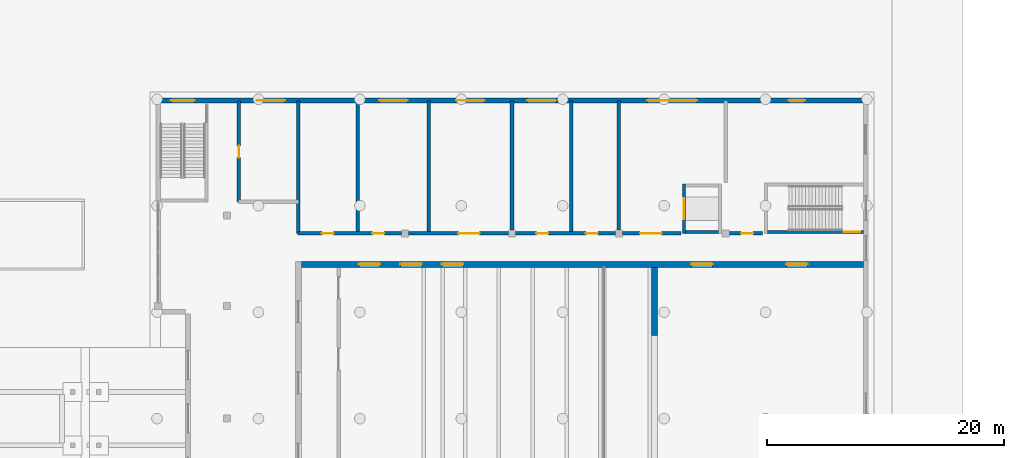
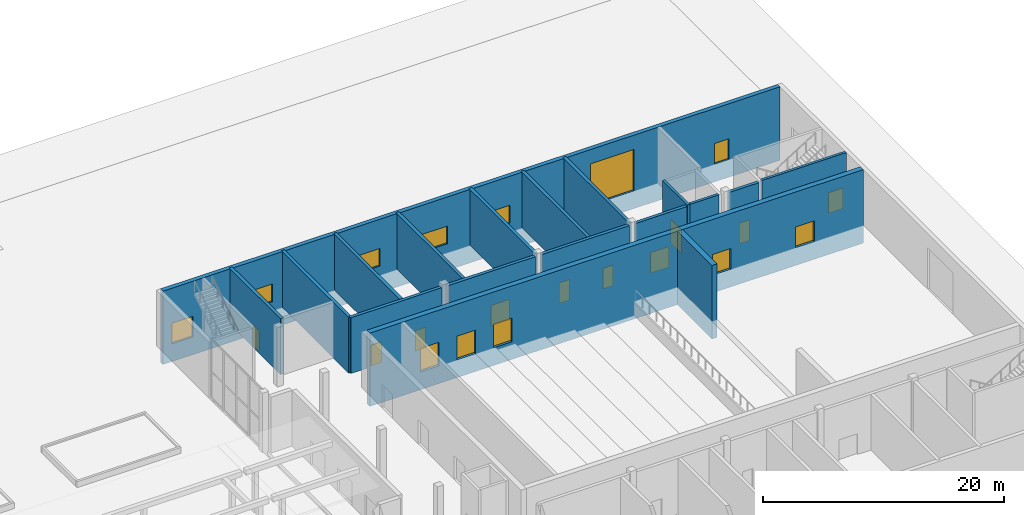
# One storey, part 27 of 47: 18 doors, 18 walls, 4 windows, 22 openings.
"""IFC4 building model written with IfcOpenShell, lengths in metres."""

from ifc_helpers import new_model, si_unit, direction, frame, frame_2d, origin, place, context, subcontext, project, spatial, rectangle, extrude, material, layer, layer_set, type_object, element, fill, save


model = new_model("IFC4")

# Units and contexts
model_context = context("Model", 3, precision=1e-05, world=origin(), true_north=direction((0.0, 1.0)))
body_context = subcontext(model_context, "Body", "Model", "MODEL_VIEW")
ifc_project = project(units=[si_unit("LENGTHUNIT", "METRE"), si_unit("AREAUNIT", "SQUARE_METRE"), si_unit("VOLUMEUNIT", "CUBIC_METRE"), si_unit("PLANEANGLEUNIT", "RADIAN"), si_unit("MASSUNIT", "GRAM", prefix="KILO")], contexts=[model_context])

# Site, building, storey
site_placement = place(None, origin())
site = spatial("IfcSite", under=ifc_project, at=site_placement, CompositionType="ELEMENT")
building_placement = place(site_placement, origin())
building = spatial("IfcBuilding", under=site, at=building_placement, Name="Hunhe Ridgeline Campus", CompositionType="ELEMENT")
storey_placement = place(building_placement, origin())
storey = spatial("IfcBuildingStorey", under=building, at=storey_placement, Name="L00", CompositionType="ELEMENT", Elevation=0.0)

# Wall, openings, doors
ifc_material_1 = material(Name="Concrete C50", Category="concrete")
ifc_layer_1 = layer(ifc_material_1, 0.5)
ifc_layer_set_1 = layer_set([ifc_layer_1], Name="Auditorium RC wall 500 C50")
wall_type_1 = type_object("IfcWallType", Name="Auditorium RC wall 500 C50", PredefinedType="SOLIDWALL", material=ifc_layer_set_1)
wall_1_placement = place(storey_placement, frame((162.25, 62.5, -1.800048828125), z_axis=(0.0, 0.0, 1.0), x_axis=(1.0, 0.0, 0.0)))
wall_1 = element("IfcWall", 1, at=wall_1_placement, inside=storey, type_object=wall_type_1, Name="Auditorium RC wall L00", PredefinedType="SOLIDWALL", context=body_context, shape_type="SweptSolid", body=[
    extrude(rectangle(XDim=47.35009765625, YDim=0.5, at=frame_2d((23.675048828125, 0.0))), origin(), (0.0, 0.0, 1.0), 7.449951171875),
])
opening_1_placement = place(wall_1_placement, frame((4.85009765625, 0.0, 1.800048828125)))
opening_1 = element("IfcOpeningElement", 2, at=opening_1_placement, cuts=wall_1, Name="Opening HD66", PredefinedType="OPENING", context=body_context, shape_type="SweptSolid", body=[
    extrude(rectangle(XDim=1.800048828125, YDim=2.39990234375, at=frame_2d((0.89990234375, 1.199951171875))), frame((0.0, 0.25, 0.0), z_axis=(0.0, -1.0, 0.0), x_axis=(1.0, 0.0, 0.0)), (0.0, 0.0, 1.0), 0.5),
])
opening_2_placement = place(wall_1_placement, frame((8.35009765625, 0.0, 1.800048828125)))
opening_2 = element("IfcOpeningElement", 3, at=opening_2_placement, cuts=wall_1, Name="Opening HD68", PredefinedType="OPENING", context=body_context, shape_type="SweptSolid", body=[
    extrude(rectangle(XDim=1.800048828125, YDim=2.39990234375, at=frame_2d((0.89990234375, 1.199951171875))), frame((0.0, 0.25, 0.0), z_axis=(0.0, -1.0, 0.0), x_axis=(1.0, 0.0, 0.0)), (0.0, 0.0, 1.0), 0.5),
])
opening_3_placement = place(wall_1_placement, frame((11.85009765625, 0.0, 1.800048828125)))
opening_3 = element("IfcOpeningElement", 4, at=opening_3_placement, cuts=wall_1, Name="Opening HD70", PredefinedType="OPENING", context=body_context, shape_type="SweptSolid", body=[
    extrude(rectangle(XDim=1.800048828125, YDim=2.39990234375, at=frame_2d((0.89990234375, 1.199951171875))), frame((0.0, 0.25, 0.0), z_axis=(0.0, -1.0, 0.0), x_axis=(1.0, 0.0, 0.0)), (0.0, 0.0, 1.0), 0.5),
])
opening_4_placement = place(wall_1_placement, frame((32.85009765625, 0.0, 1.800048828125)))
opening_4 = element("IfcOpeningElement", 5, at=opening_4_placement, cuts=wall_1, Name="Opening HD72", PredefinedType="OPENING", context=body_context, shape_type="SweptSolid", body=[
    extrude(rectangle(XDim=1.800048828125, YDim=2.10009765625, at=frame_2d((0.89990234375, 1.050048828125))), frame((0.0, 0.25, 0.0), z_axis=(0.0, -1.0, 0.0), x_axis=(1.0, 0.0, 0.0)), (0.0, 0.0, 1.0), 0.5),
])
opening_5_placement = place(wall_1_placement, frame((40.85009765625, 0.0, 1.800048828125)))
opening_5 = element("IfcOpeningElement", 6, at=opening_5_placement, cuts=wall_1, Name="Opening HD74", PredefinedType="OPENING", context=body_context, shape_type="SweptSolid", body=[
    extrude(rectangle(XDim=1.800048828125, YDim=2.10009765625, at=frame_2d((0.89990234375, 1.050048828125))), frame((0.0, 0.25, 0.0), z_axis=(0.0, -1.0, 0.0), x_axis=(1.0, 0.0, 0.0)), (0.0, 0.0, 1.0), 0.5),
])
ifc_material_2 = material(Name="Timber and lead-lined core", Category="wood")
door_type_1 = type_object("IfcDoorType", Name="Auditorium acoustic double door 1800x2400", OperationType="DOUBLE_DOOR_SINGLE_SWING", PredefinedType="DOOR", material=ifc_material_2)
door_1_placement = place(opening_1_placement, origin())
door_1 = element("IfcDoor", 7, at=door_1_placement, inside=storey, type_object=door_type_1, Name="Stalls side exit door", OperationType="DOUBLE_DOOR_SINGLE_SWING", OverallHeight=2.39990234375, OverallWidth=1.800048828125, PredefinedType="DOOR", context=body_context, shape_type="SweptSolid", body=[
    extrude(rectangle(XDim=1.800048828125, YDim=2.39990234375, at=frame_2d((0.89990234375, 1.199951171875))), frame((0.0, 0.02490234375, 0.0), z_axis=(0.0, -1.0, 0.0), x_axis=(1.0, 0.0, 0.0)), (0.0, 0.0, 1.0), 0.050048828125),
])
fill(opening_1, door_1)
door_2_placement = place(opening_2_placement, origin())
door_2 = element("IfcDoor", 8, at=door_2_placement, inside=storey, type_object=door_type_1, Name="Stalls side exit door", OperationType="DOUBLE_DOOR_SINGLE_SWING", OverallHeight=2.39990234375, OverallWidth=1.800048828125, PredefinedType="DOOR", context=body_context, shape_type="SweptSolid", body=[
    extrude(rectangle(XDim=1.800048828125, YDim=2.39990234375, at=frame_2d((0.89990234375, 1.199951171875))), frame((0.0, 0.02490234375, 0.0), z_axis=(0.0, -1.0, 0.0), x_axis=(1.0, 0.0, 0.0)), (0.0, 0.0, 1.0), 0.050048828125),
])
fill(opening_2, door_2)
door_3_placement = place(opening_3_placement, origin())
door_3 = element("IfcDoor", 9, at=door_3_placement, inside=storey, type_object=door_type_1, Name="Stalls side exit door", OperationType="DOUBLE_DOOR_SINGLE_SWING", OverallHeight=2.39990234375, OverallWidth=1.800048828125, PredefinedType="DOOR", context=body_context, shape_type="SweptSolid", body=[
    extrude(rectangle(XDim=1.800048828125, YDim=2.39990234375, at=frame_2d((0.89990234375, 1.199951171875))), frame((0.0, 0.02490234375, 0.0), z_axis=(0.0, -1.0, 0.0), x_axis=(1.0, 0.0, 0.0)), (0.0, 0.0, 1.0), 0.050048828125),
])
fill(opening_3, door_3)
ifc_material_3 = material(Name="Timber", Category="wood")
door_type_2 = type_object("IfcDoorType", Name="Hall timber double door 1800x2100", OperationType="DOUBLE_DOOR_SINGLE_SWING", PredefinedType="DOOR", material=ifc_material_3)
door_4_placement = place(opening_4_placement, origin())
door_4 = element("IfcDoor", 10, at=door_4_placement, inside=storey, type_object=door_type_2, Name="Stage door", OperationType="DOUBLE_DOOR_SINGLE_SWING", OverallHeight=2.10009765625, OverallWidth=1.800048828125, PredefinedType="DOOR", context=body_context, shape_type="SweptSolid", body=[
    extrude(rectangle(XDim=1.800048828125, YDim=2.10009765625, at=frame_2d((0.89990234375, 1.050048828125))), frame((0.0, 0.02490234375, 0.0), z_axis=(0.0, -1.0, 0.0), x_axis=(1.0, 0.0, 0.0)), (0.0, 0.0, 1.0), 0.050048828125),
])
fill(opening_4, door_4)
door_5_placement = place(opening_5_placement, origin())
door_5 = element("IfcDoor", 11, at=door_5_placement, inside=storey, type_object=door_type_2, Name="Stage door", OperationType="DOUBLE_DOOR_SINGLE_SWING", OverallHeight=2.10009765625, OverallWidth=1.800048828125, PredefinedType="DOOR", context=body_context, shape_type="SweptSolid", body=[
    extrude(rectangle(XDim=1.800048828125, YDim=2.10009765625, at=frame_2d((0.89990234375, 1.050048828125))), frame((0.0, 0.02490234375, 0.0), z_axis=(0.0, -1.0, 0.0), x_axis=(1.0, 0.0, 0.0)), (0.0, 0.0, 1.0), 0.050048828125),
])
fill(opening_5, door_5)

# Wall
wall_2_placement = place(storey_placement, frame((192.0, 56.5, -1.800048828125), z_axis=(0.0, 0.0, 1.0), x_axis=(0.0, 1.0, 0.0)))
element("IfcWall", 12, at=wall_2_placement, inside=storey, type_object=wall_type_1, Name="Auditorium RC wall L00", PredefinedType="SOLIDWALL", context=body_context, shape_type="SweptSolid", body=[
    extrude(rectangle(XDim=5.75, YDim=0.5, at=frame_2d((2.875, 0.0))), origin(), (0.0, 0.0, 1.0), 7.449951171875),
])

# Wall, opening, door
ifc_material_4 = material(Name="Plastered blockwork", Category="masonry")
ifc_layer_2 = layer(ifc_material_4, 0.300048828125)
ifc_layer_set_2 = layer_set([ifc_layer_2], Name="Hall blockwork partition 300")
wall_type_2 = type_object("IfcWallType", Name="Hall blockwork partition 300", PredefinedType="PARTITIONING", material=ifc_layer_set_2)
wall_3_placement = place(storey_placement, frame((157.0, 67.72998046875, 0.0), z_axis=(0.0, 0.0, 1.0), x_axis=(0.0, 1.0, 0.0)))
wall_3 = element("IfcWall", 13, at=wall_3_placement, inside=storey, type_object=wall_type_2, Name="L00 partition", PredefinedType="PARTITIONING", context=body_context, shape_type="SweptSolid", body=[
    extrude(rectangle(XDim=8.5400390625, YDim=0.300048828125, at=frame_2d((4.27001953125, 0.0))), origin(), (0.0, 0.0, 1.0), 5.64990234375),
])
opening_6_placement = place(wall_3_placement, frame((3.75, 0.0, 0.0)))
opening_6 = element("IfcOpeningElement", 14, at=opening_6_placement, cuts=wall_3, Name="Opening HD02", PredefinedType="OPENING", context=body_context, shape_type="SweptSolid", body=[
    extrude(rectangle(XDim=1.0, YDim=2.10009765625, at=frame_2d((0.5, 1.050048828125))), frame((0.0, 0.14990234375, 0.0), z_axis=(0.0, -1.0, 0.0), x_axis=(1.0, 0.0, 0.0)), (0.0, 0.0, 1.0), 0.300048828125),
])
door_type_3 = type_object("IfcDoorType", Name="Hall timber door 1000x2100", OperationType="NOTDEFINED", PredefinedType="DOOR", material=ifc_material_3)
door_6_placement = place(opening_6_placement, origin())
door_6 = element("IfcDoor", 15, at=door_6_placement, inside=storey, type_object=door_type_3, Name="Foyer bar door", OperationType="SINGLE_SWING_LEFT", OverallHeight=2.10009765625, OverallWidth=1.0, PredefinedType="DOOR", context=body_context, shape_type="SweptSolid", body=[
    extrude(rectangle(XDim=1.0, YDim=2.10009765625, at=frame_2d((0.5, 1.050048828125))), frame((0.0, 0.02490234375, 0.0), z_axis=(0.0, -1.0, 0.0), x_axis=(1.0, 0.0, 0.0)), (0.0, 0.0, 1.0), 0.050048828125),
])
fill(opening_6, door_6)

# Walls
for number, where, z_axis, x_axis, name in (
    (16, (162.0, 65.080078125, 0.0), (0.0, 0.0, 1.0), (0.0, 1.0, 0.0), "L00 partition"),
    (17, (167.0, 65.080078125, 0.0), (0.0, 0.0, 1.0), (0.0, 1.0, 0.0), "L00 partition"),
):
    element("IfcWall", number, at=place(storey_placement, frame(where, z_axis=z_axis, x_axis=x_axis)), inside=storey, type_object=wall_type_2, Name=name, PredefinedType="PARTITIONING", context=body_context, shape_type="SweptSolid", body=[
        extrude(rectangle(XDim=11.18994140625, YDim=0.300048828125, at=frame_2d((5.594970703125, 0.0))), origin(), (0.0, 0.0, 1.0), 5.64990234375),
    ])

# Wall, openings, doors
wall_4_placement = place(storey_placement, frame((170.699951171875, 65.10009765625, 0.0), z_axis=(0.0, 0.0, 1.0), x_axis=(-1.0, 0.0, 0.0)))
wall_4 = element("IfcWall", 18, at=wall_4_placement, inside=storey, type_object=wall_type_2, Name="L00 partition", PredefinedType="PARTITIONING", context=body_context, shape_type="SweptSolid", body=[
    extrude(rectangle(XDim=8.719970703125, YDim=0.300048828125, at=frame_2d((4.35986328125, 0.0))), origin(), (0.0, 0.0, 1.0), 5.64990234375),
])
opening_7_placement = place(wall_4_placement, frame((5.719970703125, 0.0, 0.0)))
opening_7 = element("IfcOpeningElement", 19, at=opening_7_placement, cuts=wall_4, Name="Opening HD11", PredefinedType="OPENING", context=body_context, shape_type="SweptSolid", body=[
    extrude(rectangle(XDim=1.0, YDim=2.10009765625, at=frame_2d((0.5, 1.050048828125))), frame((0.0, 0.14990234375, 0.0), z_axis=(0.0, -1.0, 0.0), x_axis=(1.0, 0.0, 0.0)), (0.0, 0.0, 1.0), 0.300048828125),
])
opening_8_placement = place(wall_4_placement, frame((1.469970703125, 0.0, 0.0)))
opening_8 = element("IfcOpeningElement", 20, at=opening_8_placement, cuts=wall_4, Name="Opening HD12", PredefinedType="OPENING", context=body_context, shape_type="SweptSolid", body=[
    extrude(rectangle(XDim=1.0, YDim=2.10009765625, at=frame_2d((0.5, 1.050048828125))), frame((0.0, 0.14990234375, 0.0), z_axis=(0.0, -1.0, 0.0), x_axis=(1.0, 0.0, 0.0)), (0.0, 0.0, 1.0), 0.300048828125),
])
door_7_placement = place(opening_7_placement, origin())
door_7 = element("IfcDoor", 21, at=door_7_placement, inside=storey, type_object=door_type_3, Name="Instrument store door", OperationType="SINGLE_SWING_RIGHT", OverallHeight=2.10009765625, OverallWidth=1.0, PredefinedType="DOOR", context=body_context, shape_type="SweptSolid", body=[
    extrude(rectangle(XDim=1.0, YDim=2.10009765625, at=frame_2d((0.5, 1.050048828125))), frame((0.0, 0.02490234375, 0.0), z_axis=(0.0, -1.0, 0.0), x_axis=(1.0, 0.0, 0.0)), (0.0, 0.0, 1.0), 0.050048828125),
])
fill(opening_7, door_7)
door_8_placement = place(opening_8_placement, origin())
door_8 = element("IfcDoor", 22, at=door_8_placement, inside=storey, type_object=door_type_3, Name="Production office door", OperationType="SINGLE_SWING_LEFT", OverallHeight=2.10009765625, OverallWidth=1.0, PredefinedType="DOOR", context=body_context, shape_type="SweptSolid", body=[
    extrude(rectangle(XDim=1.0, YDim=2.10009765625, at=frame_2d((0.5, 1.050048828125))), frame((0.0, 0.02490234375, 0.0), z_axis=(0.0, -1.0, 0.0), x_axis=(1.0, 0.0, 0.0)), (0.0, 0.0, 1.0), 0.050048828125),
])
fill(opening_8, door_8)

# Wall, opening, door
wall_5_placement = place(storey_placement, frame((179.699951171875, 65.10009765625, 0.0), z_axis=(0.0, 0.0, 1.0), x_axis=(-1.0, 0.0, 0.0)))
wall_5 = element("IfcWall", 23, at=wall_5_placement, inside=storey, type_object=wall_type_2, Name="L00 partition", PredefinedType="PARTITIONING", context=body_context, shape_type="SweptSolid", body=[
    extrude(rectangle(XDim=8.39990234375, YDim=0.300048828125, at=frame_2d((4.199951171875, 0.0))), origin(), (0.0, 0.0, 1.0), 5.64990234375),
])
opening_9_placement = place(wall_5_placement, frame((2.419921875, 0.0, 0.0)))
opening_9 = element("IfcOpeningElement", 24, at=opening_9_placement, cuts=wall_5, Name="Opening HD13", PredefinedType="OPENING", context=body_context, shape_type="SweptSolid", body=[
    extrude(rectangle(XDim=1.800048828125, YDim=2.10009765625, at=frame_2d((0.89990234375, 1.050048828125))), frame((0.0, 0.14990234375, 0.0), z_axis=(0.0, -1.0, 0.0), x_axis=(1.0, 0.0, 0.0)), (0.0, 0.0, 1.0), 0.300048828125),
])
door_9_placement = place(opening_9_placement, origin())
door_9 = element("IfcDoor", 25, at=door_9_placement, inside=storey, type_object=door_type_2, Name="Dressing room 2 door", OperationType="DOUBLE_DOOR_SINGLE_SWING", OverallHeight=2.10009765625, OverallWidth=1.800048828125, PredefinedType="DOOR", context=body_context, shape_type="SweptSolid", body=[
    extrude(rectangle(XDim=1.800048828125, YDim=2.10009765625, at=frame_2d((0.89990234375, 1.050048828125))), frame((0.0, 0.02490234375, 0.0), z_axis=(0.0, -1.0, 0.0), x_axis=(1.0, 0.0, 0.0)), (0.0, 0.0, 1.0), 0.050048828125),
])
fill(opening_9, door_9)

# Wall, openings, doors
wall_6_placement = place(storey_placement, frame((188.699951171875, 65.10009765625, 0.0), z_axis=(0.0, 0.0, 1.0), x_axis=(-1.0, 0.0, 0.0)))
wall_6 = element("IfcWall", 26, at=wall_6_placement, inside=storey, type_object=wall_type_2, Name="L00 partition", PredefinedType="PARTITIONING", context=body_context, shape_type="SweptSolid", body=[
    extrude(rectangle(XDim=8.39990234375, YDim=0.300048828125, at=frame_2d((4.199951171875, 0.0))), origin(), (0.0, 0.0, 1.0), 5.64990234375),
])
opening_10_placement = place(wall_6_placement, frame((5.64990234375, 0.0, 0.0)))
opening_10 = element("IfcOpeningElement", 27, at=opening_10_placement, cuts=wall_6, Name="Opening HD14", PredefinedType="OPENING", context=body_context, shape_type="SweptSolid", body=[
    extrude(rectangle(XDim=1.0, YDim=2.10009765625, at=frame_2d((0.5, 1.050048828125))), frame((0.0, 0.14990234375, 0.0), z_axis=(0.0, -1.0, 0.0), x_axis=(1.0, 0.0, 0.0)), (0.0, 0.0, 1.0), 0.300048828125),
])
opening_11_placement = place(wall_6_placement, frame((1.469970703125, 0.0, 0.0)))
opening_11 = element("IfcOpeningElement", 28, at=opening_11_placement, cuts=wall_6, Name="Opening HD15", PredefinedType="OPENING", context=body_context, shape_type="SweptSolid", body=[
    extrude(rectangle(XDim=1.0, YDim=2.10009765625, at=frame_2d((0.5, 1.050048828125))), frame((0.0, 0.14990234375, 0.0), z_axis=(0.0, -1.0, 0.0), x_axis=(1.0, 0.0, 0.0)), (0.0, 0.0, 1.0), 0.300048828125),
])
door_10_placement = place(opening_10_placement, origin())
door_10 = element("IfcDoor", 29, at=door_10_placement, inside=storey, type_object=door_type_3, Name="Staff rest room door", OperationType="SINGLE_SWING_RIGHT", OverallHeight=2.10009765625, OverallWidth=1.0, PredefinedType="DOOR", context=body_context, shape_type="SweptSolid", body=[
    extrude(rectangle(XDim=1.0, YDim=2.10009765625, at=frame_2d((0.5, 1.050048828125))), frame((0.0, 0.02490234375, 0.0), z_axis=(0.0, -1.0, 0.0), x_axis=(1.0, 0.0, 0.0)), (0.0, 0.0, 1.0), 0.050048828125),
])
fill(opening_10, door_10)
door_11_placement = place(opening_11_placement, origin())
door_11 = element("IfcDoor", 30, at=door_11_placement, inside=storey, type_object=door_type_3, Name="Receiving office door", OperationType="SINGLE_SWING_LEFT", OverallHeight=2.10009765625, OverallWidth=1.0, PredefinedType="DOOR", context=body_context, shape_type="SweptSolid", body=[
    extrude(rectangle(XDim=1.0, YDim=2.10009765625, at=frame_2d((0.5, 1.050048828125))), frame((0.0, 0.02490234375, 0.0), z_axis=(0.0, -1.0, 0.0), x_axis=(1.0, 0.0, 0.0)), (0.0, 0.0, 1.0), 0.050048828125),
])
fill(opening_11, door_11)

# Wall, opening, door
wall_7_placement = place(storey_placement, frame((194.219970703125, 65.10009765625, 0.0), z_axis=(0.0, 0.0, 1.0), x_axis=(-1.0, 0.0, 0.0)))
wall_7 = element("IfcWall", 31, at=wall_7_placement, inside=storey, type_object=wall_type_2, Name="L00 partition", PredefinedType="PARTITIONING", context=body_context, shape_type="SweptSolid", body=[
    extrude(rectangle(XDim=4.919921875, YDim=0.300048828125, at=frame_2d((2.4599609375, 0.0))), origin(), (0.0, 0.0, 1.0), 5.64990234375),
])
opening_12_placement = place(wall_7_placement, frame((1.6201171875, 0.0, 0.0)))
opening_12 = element("IfcOpeningElement", 32, at=opening_12_placement, cuts=wall_7, Name="Opening HD16", PredefinedType="OPENING", context=body_context, shape_type="SweptSolid", body=[
    extrude(rectangle(XDim=1.800048828125, YDim=2.10009765625, at=frame_2d((0.89990234375, 1.050048828125))), frame((0.0, 0.14990234375, 0.0), z_axis=(0.0, -1.0, 0.0), x_axis=(1.0, 0.0, 0.0)), (0.0, 0.0, 1.0), 0.300048828125),
])
door_12_placement = place(opening_12_placement, origin())
door_12 = element("IfcDoor", 33, at=door_12_placement, inside=storey, type_object=door_type_2, Name="Scene dock door", OperationType="DOUBLE_DOOR_SINGLE_SWING", OverallHeight=2.10009765625, OverallWidth=1.800048828125, PredefinedType="DOOR", context=body_context, shape_type="SweptSolid", body=[
    extrude(rectangle(XDim=1.800048828125, YDim=2.10009765625, at=frame_2d((0.89990234375, 1.050048828125))), frame((0.0, 0.02490234375, 0.0), z_axis=(0.0, -1.0, 0.0), x_axis=(1.0, 0.0, 0.0)), (0.0, 0.0, 1.0), 0.050048828125),
])
fill(opening_12, door_12)

wall_8_placement = place(storey_placement, frame((201.1201171875, 65.10009765625, 0.0), z_axis=(0.0, 0.0, 1.0), x_axis=(-1.0, 0.0, 0.0)))
wall_8 = element("IfcWall", 34, at=wall_8_placement, inside=storey, type_object=wall_type_2, Name="L00 partition", PredefinedType="PARTITIONING", context=body_context, shape_type="SweptSolid", body=[
    extrude(rectangle(XDim=2.820068359375, YDim=0.300048828125, at=frame_2d((1.41015625, 0.0))), origin(), (0.0, 0.0, 1.0), 5.64990234375),
])
opening_13_placement = place(wall_8_placement, frame((0.820068359375, 0.0, 0.0)))
opening_13 = element("IfcOpeningElement", 35, at=opening_13_placement, cuts=wall_8, Name="Opening HD17", PredefinedType="OPENING", context=body_context, shape_type="SweptSolid", body=[
    extrude(rectangle(XDim=1.0, YDim=2.10009765625, at=frame_2d((0.5, 1.050048828125))), frame((0.0, 0.14990234375, 0.0), z_axis=(0.0, -1.0, 0.0), x_axis=(1.0, 0.0, 0.0)), (0.0, 0.0, 1.0), 0.300048828125),
])
door_13_placement = place(opening_13_placement, origin())
door_13 = element("IfcDoor", 36, at=door_13_placement, inside=storey, type_object=door_type_3, Name="Stage door lobby door", OperationType="SINGLE_SWING_LEFT", OverallHeight=2.10009765625, OverallWidth=1.0, PredefinedType="DOOR", context=body_context, shape_type="SweptSolid", body=[
    extrude(rectangle(XDim=1.0, YDim=2.10009765625, at=frame_2d((0.5, 1.050048828125))), frame((0.0, 0.02490234375, 0.0), z_axis=(0.0, -1.0, 0.0), x_axis=(1.0, 0.0, 0.0)), (0.0, 0.0, 1.0), 0.050048828125),
])
fill(opening_13, door_13)

# Walls
wall_9_placement = place(storey_placement, frame((173.0, 65.080078125, 0.0), z_axis=(0.0, 0.0, 1.0), x_axis=(0.0, 1.0, 0.0)))
element("IfcWall", 37, at=wall_9_placement, inside=storey, type_object=wall_type_2, Name="L00 partition", PredefinedType="PARTITIONING", context=body_context, shape_type="SweptSolid", body=[
    extrude(rectangle(XDim=11.18994140625, YDim=0.300048828125, at=frame_2d((5.594970703125, 0.0))), origin(), (0.0, 0.0, 1.0), 5.64990234375),
])
wall_10_placement = place(storey_placement, frame((180.0, 65.39990234375, 0.0), z_axis=(0.0, 0.0, 1.0), x_axis=(0.0, 1.0, 0.0)))
element("IfcWall", 38, at=wall_10_placement, inside=storey, type_object=wall_type_2, Name="L00 partition", PredefinedType="PARTITIONING", context=body_context, shape_type="SweptSolid", body=[
    extrude(rectangle(XDim=10.8701171875, YDim=0.300048828125, at=frame_2d((5.43505859375, 0.0))), origin(), (0.0, 0.0, 1.0), 5.64990234375),
])
wall_11_placement = place(storey_placement, frame((185.0, 65.080078125, 0.0), z_axis=(0.0, 0.0, 1.0), x_axis=(0.0, 1.0, 0.0)))
element("IfcWall", 39, at=wall_11_placement, inside=storey, type_object=wall_type_2, Name="L00 partition", PredefinedType="PARTITIONING", context=body_context, shape_type="SweptSolid", body=[
    extrude(rectangle(XDim=11.18994140625, YDim=0.300048828125, at=frame_2d((5.594970703125, 0.0))), origin(), (0.0, 0.0, 1.0), 5.64990234375),
])
wall_12_placement = place(storey_placement, frame((189.0, 65.39990234375, 0.0), z_axis=(0.0, 0.0, 1.0), x_axis=(0.0, 1.0, 0.0)))
element("IfcWall", 40, at=wall_12_placement, inside=storey, type_object=wall_type_2, Name="L00 partition", PredefinedType="PARTITIONING", context=body_context, shape_type="SweptSolid", body=[
    extrude(rectangle(XDim=10.8701171875, YDim=0.300048828125, at=frame_2d((5.43505859375, 0.0))), origin(), (0.0, 0.0, 1.0), 5.64990234375),
])

# Wall, openings, doors, windows
ifc_material_5 = material(Name="Concrete C40", Category="concrete")
ifc_layer_3 = layer(ifc_material_5, 0.39990234375)
ifc_layer_set_3 = layer_set([ifc_layer_3], Name="Hall external RC wall 400 C40")
wall_type_3 = type_object("IfcWallType", Name="Hall external RC wall 400 C40", PredefinedType="SOLIDWALL", material=ifc_layer_set_3)
wall_13_placement = place(storey_placement, frame((150.39990234375, 76.300048828125, -1.800048828125), z_axis=(0.0, 0.0, 1.0), x_axis=(1.0, 0.0, 0.0)))
wall_13 = element("IfcWall", 41, at=wall_13_placement, inside=storey, type_object=wall_type_3, Name="Hall L00 north wall", PredefinedType="SOLIDWALL", context=body_context, shape_type="SweptSolid", body=[
    extrude(rectangle(XDim=59.2001953125, YDim=0.39990234375, at=frame_2d((29.60009765625, 0.0))), origin(), (0.0, 0.0, 1.0), 7.449951171875),
])
opening_14_placement = place(wall_13_placement, frame((0.875, 0.0, 1.800048828125)))
opening_14 = element("IfcOpeningElement", 42, at=opening_14_placement, cuts=wall_13, Name="Opening HD85", PredefinedType="OPENING", context=body_context, shape_type="SweptSolid", body=[
    extrude(rectangle(XDim=2.0, YDim=2.10009765625, at=frame_2d((1.0, 1.050048828125))), frame((0.0, 0.199951171875, 0.0), z_axis=(0.0, -1.0, 0.0), x_axis=(1.0, 0.0, 0.0)), (0.0, 0.0, 1.0), 0.39990234375),
])
opening_15_placement = place(wall_13_placement, frame((41.0, 0.0, 1.800048828125)))
opening_15 = element("IfcOpeningElement", 43, at=opening_15_placement, cuts=wall_13, Name="Opening HD86", PredefinedType="OPENING", context=body_context, shape_type="SweptSolid", body=[
    extrude(rectangle(XDim=4.199951171875, YDim=4.199951171875, at=frame_2d((2.10009765625, 2.10009765625))), frame((0.0, 0.199951171875, 0.0), z_axis=(0.0, -1.0, 0.0), x_axis=(1.0, 0.0, 0.0)), (0.0, 0.0, 1.0), 0.39990234375),
])
opening_16_placement = place(wall_13_placement, frame((52.89990234375, 0.0, 1.800048828125)))
opening_16 = element("IfcOpeningElement", 44, at=opening_16_placement, cuts=wall_13, Name="Opening HD87", PredefinedType="OPENING", context=body_context, shape_type="SweptSolid", body=[
    extrude(rectangle(XDim=1.39990234375, YDim=2.10009765625, at=frame_2d((0.699951171875, 1.050048828125))), frame((0.0, 0.199951171875, 0.0), z_axis=(0.0, -1.0, 0.0), x_axis=(1.0, 0.0, 0.0)), (0.0, 0.0, 1.0), 0.39990234375),
])
opening_17_placement = place(wall_13_placement, frame((8.10009765625, 0.0, 2.699951171875)))
opening_17 = element("IfcOpeningElement", 45, at=opening_17_placement, cuts=wall_13, Name="Opening HWN04", PredefinedType="OPENING", context=body_context, shape_type="SweptSolid", body=[
    extrude(rectangle(XDim=2.39990234375, YDim=1.800048828125, at=frame_2d((1.199951171875, 0.89990234375))), frame((0.0, 0.199951171875, 0.0), z_axis=(0.0, -1.0, 0.0), x_axis=(1.0, 0.0, 0.0)), (0.0, 0.0, 1.0), 0.39990234375),
])
opening_18_placement = place(wall_13_placement, frame((18.39990234375, 0.0, 2.699951171875)))
opening_18 = element("IfcOpeningElement", 46, at=opening_18_placement, cuts=wall_13, Name="Opening HWN17", PredefinedType="OPENING", context=body_context, shape_type="SweptSolid", body=[
    extrude(rectangle(XDim=2.39990234375, YDim=1.800048828125, at=frame_2d((1.199951171875, 0.89990234375))), frame((0.0, 0.199951171875, 0.0), z_axis=(0.0, -1.0, 0.0), x_axis=(1.0, 0.0, 0.0)), (0.0, 0.0, 1.0), 0.39990234375),
])
opening_19_placement = place(wall_13_placement, frame((24.89990234375, 0.0, 2.699951171875)))
opening_19 = element("IfcOpeningElement", 47, at=opening_19_placement, cuts=wall_13, Name="Opening HWN18", PredefinedType="OPENING", context=body_context, shape_type="SweptSolid", body=[
    extrude(rectangle(XDim=2.39990234375, YDim=1.800048828125, at=frame_2d((1.199951171875, 0.89990234375))), frame((0.0, 0.199951171875, 0.0), z_axis=(0.0, -1.0, 0.0), x_axis=(1.0, 0.0, 0.0)), (0.0, 0.0, 1.0), 0.39990234375),
])
opening_20_placement = place(wall_13_placement, frame((30.89990234375, 0.0, 2.699951171875)))
opening_20 = element("IfcOpeningElement", 48, at=opening_20_placement, cuts=wall_13, Name="Opening HWN19", PredefinedType="OPENING", context=body_context, shape_type="SweptSolid", body=[
    extrude(rectangle(XDim=2.39990234375, YDim=1.800048828125, at=frame_2d((1.199951171875, 0.89990234375))), frame((0.0, 0.199951171875, 0.0), z_axis=(0.0, -1.0, 0.0), x_axis=(1.0, 0.0, 0.0)), (0.0, 0.0, 1.0), 0.39990234375),
])
ifc_material_6 = material(Name="Steel Q235", Category="steel")
door_type_4 = type_object("IfcDoorType", Name="Hall fire door 1400x2100 FD60", OperationType="NOTDEFINED", PredefinedType="DOOR", material=ifc_material_6)
door_14_placement = place(opening_16_placement, origin())
door_14 = element("IfcDoor", 49, at=door_14_placement, inside=storey, type_object=door_type_4, Name="Stage door entrance", OperationType="SINGLE_SWING_RIGHT", OverallHeight=2.10009765625, OverallWidth=1.39990234375, PredefinedType="DOOR", context=body_context, shape_type="SweptSolid", body=[
    extrude(rectangle(XDim=1.39990234375, YDim=2.10009765625, at=frame_2d((0.699951171875, 1.050048828125))), frame((0.0, 0.02490234375, 0.0), z_axis=(0.0, -1.0, 0.0), x_axis=(1.0, 0.0, 0.0)), (0.0, 0.0, 1.0), 0.050048828125),
])
fill(opening_16, door_14)
door_type_5 = type_object("IfcDoorType", Name="Hall fire double door 2000x2100 FD60", OperationType="DOUBLE_DOOR_SINGLE_SWING", PredefinedType="DOOR", material=ifc_material_6)
door_15_placement = place(opening_14_placement, origin())
door_15 = element("IfcDoor", 50, at=door_15_placement, inside=storey, type_object=door_type_5, Name="Stair HS2 exit door", OperationType="DOUBLE_DOOR_SINGLE_SWING", OverallHeight=2.10009765625, OverallWidth=2.0, PredefinedType="DOOR", context=body_context, shape_type="SweptSolid", body=[
    extrude(rectangle(XDim=2.0, YDim=2.10009765625, at=frame_2d((1.0, 1.050048828125))), frame((0.0, 0.02490234375, 0.0), z_axis=(0.0, -1.0, 0.0), x_axis=(1.0, 0.0, 0.0)), (0.0, 0.0, 1.0), 0.050048828125),
])
fill(opening_14, door_15)
door_type_6 = type_object("IfcDoorType", Name="Hall roller shutter 4200x4200", OperationType="ROLLINGUP", PredefinedType="DOOR", material=ifc_material_6)
door_16_placement = place(opening_15_placement, origin())
door_16 = element("IfcDoor", 51, at=door_16_placement, inside=storey, type_object=door_type_6, Name="Scene dock roller shutter", OperationType="ROLLINGUP", OverallHeight=4.199951171875, OverallWidth=4.199951171875, PredefinedType="DOOR", context=body_context, shape_type="SweptSolid", body=[
    extrude(rectangle(XDim=4.199951171875, YDim=4.199951171875, at=frame_2d((2.10009765625, 2.10009765625))), frame((0.0, 0.02490234375, 0.0), z_axis=(0.0, -1.0, 0.0), x_axis=(1.0, 0.0, 0.0)), (0.0, 0.0, 1.0), 0.050048828125),
])
fill(opening_15, door_16)
ifc_material_7 = material(Name="Aluminium and glass", Category="aluminium")
window_type = type_object("IfcWindowType", Name="Hall window 2400x1800", PartitioningType="SINGLE_PANEL", PredefinedType="WINDOW", material=ifc_material_7)
window_1_placement = place(opening_17_placement, origin())
window_1 = element("IfcWindow", 52, at=window_1_placement, inside=storey, type_object=window_type, Name="L00 window", OverallHeight=1.800048828125, OverallWidth=2.39990234375, PartitioningType="SINGLE_PANEL", PredefinedType="WINDOW", context=body_context, shape_type="SweptSolid", body=[
    extrude(rectangle(XDim=2.39990234375, YDim=1.800048828125, at=frame_2d((1.199951171875, 0.89990234375))), frame((0.0, 0.030029296875, 0.0), z_axis=(0.0, -1.0, 0.0), x_axis=(1.0, 0.0, 0.0)), (0.0, 0.0, 1.0), 0.06005859375),
])
fill(opening_17, window_1)
window_2_placement = place(opening_18_placement, origin())
window_2 = element("IfcWindow", 53, at=window_2_placement, inside=storey, type_object=window_type, Name="L00 window", OverallHeight=1.800048828125, OverallWidth=2.39990234375, PartitioningType="SINGLE_PANEL", PredefinedType="WINDOW", context=body_context, shape_type="SweptSolid", body=[
    extrude(rectangle(XDim=2.39990234375, YDim=1.800048828125, at=frame_2d((1.199951171875, 0.89990234375))), frame((0.0, 0.030029296875, 0.0), z_axis=(0.0, -1.0, 0.0), x_axis=(1.0, 0.0, 0.0)), (0.0, 0.0, 1.0), 0.06005859375),
])
fill(opening_18, window_2)
window_3_placement = place(opening_19_placement, origin())
window_3 = element("IfcWindow", 54, at=window_3_placement, inside=storey, type_object=window_type, Name="L00 window", OverallHeight=1.800048828125, OverallWidth=2.39990234375, PartitioningType="SINGLE_PANEL", PredefinedType="WINDOW", context=body_context, shape_type="SweptSolid", body=[
    extrude(rectangle(XDim=2.39990234375, YDim=1.800048828125, at=frame_2d((1.199951171875, 0.89990234375))), frame((0.0, 0.030029296875, 0.0), z_axis=(0.0, -1.0, 0.0), x_axis=(1.0, 0.0, 0.0)), (0.0, 0.0, 1.0), 0.06005859375),
])
fill(opening_19, window_3)
window_4_placement = place(opening_20_placement, origin())
window_4 = element("IfcWindow", 55, at=window_4_placement, inside=storey, type_object=window_type, Name="L00 window", OverallHeight=1.800048828125, OverallWidth=2.39990234375, PartitioningType="SINGLE_PANEL", PredefinedType="WINDOW", context=body_context, shape_type="SweptSolid", body=[
    extrude(rectangle(XDim=2.39990234375, YDim=1.800048828125, at=frame_2d((1.199951171875, 0.89990234375))), frame((0.0, 0.030029296875, 0.0), z_axis=(0.0, -1.0, 0.0), x_axis=(1.0, 0.0, 0.0)), (0.0, 0.0, 1.0), 0.06005859375),
])
fill(opening_20, window_4)

# Wall, opening, door
ifc_layer_4 = layer(ifc_material_5, 0.25)
ifc_layer_set_4 = layer_set([ifc_layer_4], Name="Hall shaft wall 250 C40")
wall_type_4 = type_object("IfcWallType", Name="Hall shaft wall 250 C40", PredefinedType="SOLIDWALL", material=ifc_layer_set_4)
wall_14_placement = place(storey_placement, frame((209.60009765625, 65.22509765625, -1.800048828125), z_axis=(0.0, 0.0, 1.0), x_axis=(-1.0, 0.0, 0.0)))
wall_14 = element("IfcWall", 56, at=wall_14_placement, inside=storey, type_object=wall_type_4, Name="L00 stair HS4 shaft wall", PredefinedType="SOLIDWALL", context=body_context, shape_type="SweptSolid", body=[
    extrude(rectangle(XDim=8.10009765625, YDim=0.25, at=frame_2d((4.050048828125, 0.0))), origin(), (0.0, 0.0, 1.0), 7.449951171875),
])
opening_21_placement = place(wall_14_placement, frame((0.25, 0.0, 1.800048828125)))
opening_21 = element("IfcOpeningElement", 57, at=opening_21_placement, cuts=wall_14, Name="Opening HD105", PredefinedType="OPENING", context=body_context, shape_type="SweptSolid", body=[
    extrude(rectangle(XDim=1.39990234375, YDim=2.10009765625, at=frame_2d((0.699951171875, 1.050048828125))), frame((0.0, 0.125, 0.0), z_axis=(0.0, -1.0, 0.0), x_axis=(1.0, 0.0, 0.0)), (0.0, 0.0, 1.0), 0.25),
])
door_17_placement = place(opening_21_placement, origin())
door_17 = element("IfcDoor", 58, at=door_17_placement, inside=storey, type_object=door_type_4, Name="L00 stair HS4 door", OperationType="SINGLE_SWING_RIGHT", OverallHeight=2.10009765625, OverallWidth=1.39990234375, PredefinedType="DOOR", context=body_context, shape_type="SweptSolid", body=[
    extrude(rectangle(XDim=1.39990234375, YDim=2.10009765625, at=frame_2d((0.699951171875, 1.050048828125))), frame((0.0, 0.02490234375, 0.0), z_axis=(0.0, -1.0, 0.0), x_axis=(1.0, 0.0, 0.0)), (0.0, 0.0, 1.0), 0.050048828125),
])
fill(opening_21, door_17)

wall_15_placement = place(storey_placement, frame((194.47509765625, 65.10009765625, -1.800048828125), z_axis=(0.0, 0.0, 1.0), x_axis=(0.0, 1.0, 0.0)))
wall_15 = element("IfcWall", 59, at=wall_15_placement, inside=storey, type_object=wall_type_4, Name="L00 lift HL2 shaft wall", PredefinedType="SOLIDWALL", context=body_context, shape_type="SweptSolid", body=[
    extrude(rectangle(XDim=4.14990234375, YDim=0.25, at=frame_2d((2.074951171875, 0.0))), origin(), (0.0, 0.0, 1.0), 7.449951171875),
])
opening_22_placement = place(wall_15_placement, frame((1.175048828125, 0.0, 1.800048828125)))
opening_22 = element("IfcOpeningElement", 60, at=opening_22_placement, cuts=wall_15, Name="Opening LDG", PredefinedType="OPENING", context=body_context, shape_type="SweptSolid", body=[
    extrude(rectangle(XDim=1.800048828125, YDim=2.39990234375, at=frame_2d((0.89990234375, 1.199951171875))), frame((0.0, 0.125, 0.0), z_axis=(0.0, -1.0, 0.0), x_axis=(1.0, 0.0, 0.0)), (0.0, 0.0, 1.0), 0.25),
])
ifc_material_8 = material(Name="Stainless steel sliding leaves", Category="steel")
door_type_7 = type_object("IfcDoorType", Name="Hall goods lift landing door 1800x2400", OperationType="SLIDING_TO_LEFT", PredefinedType="DOOR", material=ifc_material_8)
door_18_placement = place(opening_22_placement, origin())
door_18 = element("IfcDoor", 61, at=door_18_placement, inside=storey, type_object=door_type_7, Name="L00 lift HL2 landing door", OperationType="SLIDING_TO_RIGHT", OverallHeight=2.39990234375, OverallWidth=1.800048828125, PredefinedType="DOOR", context=body_context, shape_type="SweptSolid", body=[
    extrude(rectangle(XDim=1.800048828125, YDim=2.39990234375, at=frame_2d((0.89990234375, 1.199951171875))), frame((0.0, 0.02490234375, 0.0), z_axis=(0.0, -1.0, 0.0), x_axis=(1.0, 0.0, 0.0)), (0.0, 0.0, 1.0), 0.050048828125),
])
fill(opening_22, door_18)

# Wall
wall_16_placement = place(storey_placement, frame((197.39990234375, 65.22509765625, -1.800048828125), z_axis=(0.0, 0.0, 1.0), x_axis=(-1.0, 0.0, 0.0)))
element("IfcWall", 62, at=wall_16_placement, inside=storey, type_object=wall_type_4, Name="L00 lift HL2 shaft wall", PredefinedType="SOLIDWALL", context=body_context, shape_type="SweptSolid", body=[
    extrude(rectangle(XDim=2.7998046875, YDim=0.25, at=frame_2d((1.39990234375, 0.0))), origin(), (0.0, 0.0, 1.0), 7.449951171875),
])

save(model, "model.ifc")
